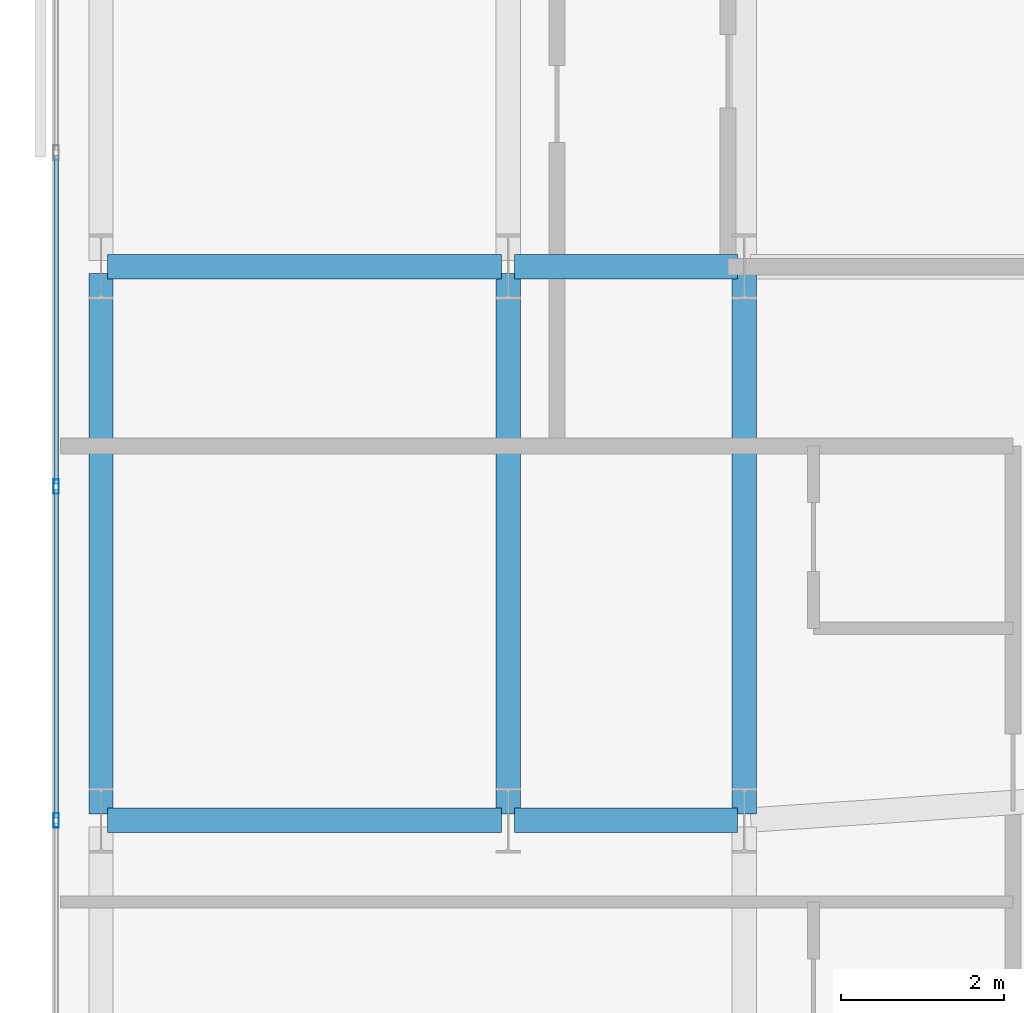
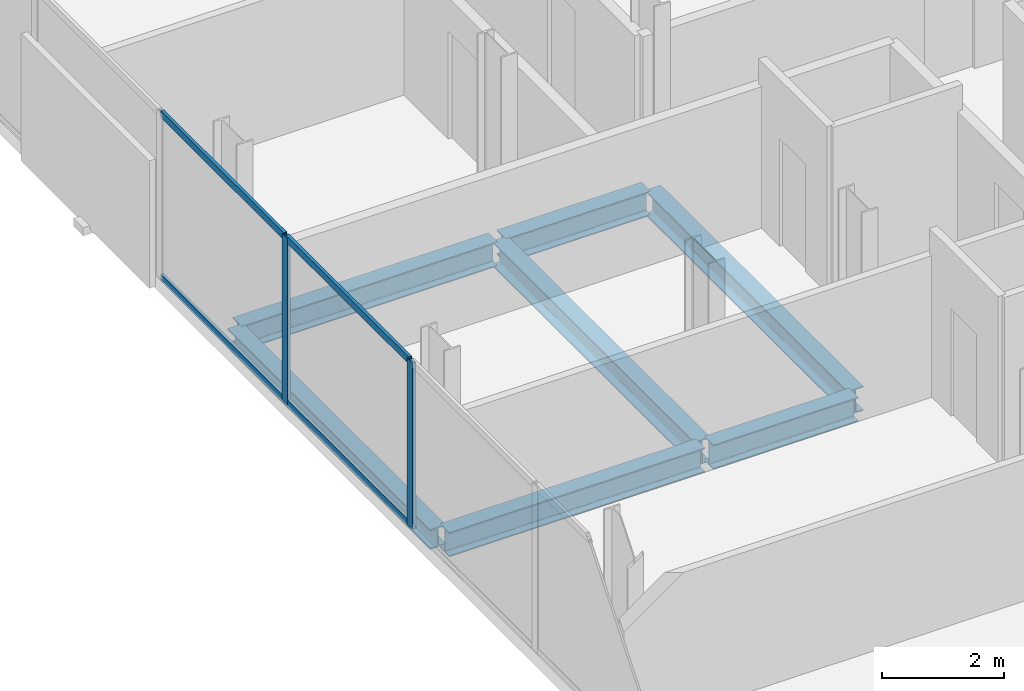
# One storey, part 11 of 32: 7 beams, 6 members, 1 element without a shape of its own.
"""IFC4 building model written with IfcOpenShell, lengths in metres."""

from ifc_helpers import new_model, si_unit, direction, frame, origin, origin_2d, place, context, subcontext, project, spatial, hollow_rectangle, i_section, extrude, material, layer, layer_set, material_profile, profile_set, type_object, element, aggregate, save


model = new_model("IFC4")

# Units and contexts
model_context = context("Model", 3, precision=1e-05, world=origin(), true_north=direction((0.0, 1.0)))
body_context = subcontext(model_context, "Body", "Model", "MODEL_VIEW")
ifc_project = project(units=[si_unit("LENGTHUNIT", "METRE"), si_unit("AREAUNIT", "SQUARE_METRE"), si_unit("VOLUMEUNIT", "CUBIC_METRE"), si_unit("PLANEANGLEUNIT", "RADIAN"), si_unit("MASSUNIT", "GRAM", prefix="KILO")], contexts=[model_context])

# Site, building, storey
site_placement = place(None, origin())
site = spatial("IfcSite", under=ifc_project, at=site_placement, CompositionType="ELEMENT")
building_placement = place(site_placement, origin())
building = spatial("IfcBuilding", under=site, at=building_placement, Name="Catumbela Crestline Tower", CompositionType="ELEMENT")
storey_placement = place(building_placement, frame((0.0, 0.0, 69.0)))
storey = spatial("IfcBuildingStorey", under=building, at=storey_placement, Name="L17", CompositionType="ELEMENT", Elevation=69.0)

# Beams
ifc_material_1 = material(Name="Structural steel S355J2", Category="steel")
ifc_material_profile_1 = material_profile(ifc_material_1, i_section(OverallWidth=0.3, OverallDepth=0.49, WebThickness=0.012, FlangeThickness=0.023, FilletRadius=0.027, at=origin_2d()), Name="HEA 500")
ifc_profile_set_1 = profile_set([ifc_material_profile_1], Name="Structural steel S355J2")
beam_type_1 = type_object("IfcBeamType", Name="BG-HEA500", PredefinedType="BEAM", material=ifc_profile_set_1)
beam_1_placement = place(storey_placement, frame((0.68, 24.0, -0.505), z_axis=(1.0, 0.0, 0.0), x_axis=(0.0, 1.0, 0.0)))
element("IfcBeam", 1, at=beam_1_placement, inside=storey, type_object=beam_type_1, Name="L17 Beam BM-L17-S01", PredefinedType="BEAM", context=body_context, shape_type="SweptSolid", body=[
    extrude(i_section(OverallWidth=0.3, OverallDepth=0.49, WebThickness=0.012, FlangeThickness=0.023, FilletRadius=0.027, at=origin_2d()), origin(), (0.0, 0.0, 1.0), 4.84),
])
beam_2_placement = place(storey_placement, frame((5.68, 24.0, -0.505), z_axis=(1.0, 0.0, 0.0), x_axis=(0.0, 1.0, 0.0)))
element("IfcBeam", 2, at=beam_2_placement, inside=storey, type_object=beam_type_1, Name="L17 Beam BM-L17-S02", PredefinedType="BEAM", context=body_context, shape_type="SweptSolid", body=[
    extrude(i_section(OverallWidth=0.3, OverallDepth=0.49, WebThickness=0.012, FlangeThickness=0.023, FilletRadius=0.027, at=origin_2d()), origin(), (0.0, 0.0, 1.0), 2.74),
])
beam_3_placement = place(storey_placement, frame((0.68, 30.8, -0.505), z_axis=(1.0, 0.0, 0.0), x_axis=(0.0, 1.0, 0.0)))
element("IfcBeam", 3, at=beam_3_placement, inside=storey, type_object=beam_type_1, Name="L17 Beam BM-L17-M07", PredefinedType="BEAM", context=body_context, shape_type="SweptSolid", body=[
    extrude(i_section(OverallWidth=0.3, OverallDepth=0.49, WebThickness=0.012, FlangeThickness=0.023, FilletRadius=0.027, at=origin_2d()), origin(), (0.0, 0.0, 1.0), 4.84),
])
beam_4_placement = place(storey_placement, frame((5.68, 30.8, -0.505), z_axis=(1.0, 0.0, 0.0), x_axis=(0.0, 1.0, 0.0)))
element("IfcBeam", 4, at=beam_4_placement, inside=storey, type_object=beam_type_1, Name="L17 Beam BM-L17-M08", PredefinedType="BEAM", context=body_context, shape_type="SweptSolid", body=[
    extrude(i_section(OverallWidth=0.3, OverallDepth=0.49, WebThickness=0.012, FlangeThickness=0.023, FilletRadius=0.027, at=origin_2d()), origin(), (0.0, 0.0, 1.0), 2.74),
])
for number, where, z_axis, x_axis, name in (
    (5, (5.6, 24.08, -0.505), (0.0, 1.0, 0.0), (-1.0, 0.0, 0.0), "L17 Beam BM-L17-SN27"),
    (6, (8.5, 24.08, -0.505), (0.0, 1.0, 0.0), (-1.0, 0.0, 0.0), "L17 Beam BM-L17-SN29"),
):
    element("IfcBeam", number, at=place(storey_placement, frame(where, z_axis=z_axis, x_axis=x_axis)), inside=storey, type_object=beam_type_1, Name=name, PredefinedType="BEAM", context=body_context, shape_type="SweptSolid", body=[
        extrude(i_section(OverallWidth=0.3, OverallDepth=0.49, WebThickness=0.012, FlangeThickness=0.023, FilletRadius=0.027, at=origin_2d()), origin(), (0.0, 0.0, 1.0), 6.64),
    ])

# Curtain wall, members
ifc_material_2 = material(Name="Aluminium alloy AW-6060-T66", Category="aluminium")
ifc_layer = layer(ifc_material_2, 0.18, Name="Aluminium alloy AW-6060-T66")
ifc_layer_set = layer_set([ifc_layer], Name="Aluminium alloy AW-6060-T66")
curtain_wall_type = type_object("IfcCurtainWallType", Name="CWU-Z1", PredefinedType="USERDEFINED", material=ifc_layer_set)
curtain_wall_placement = place(storey_placement, origin())
curtain_wall = element("IfcCurtainWall", 7, at=curtain_wall_placement, inside=storey, type_object=curtain_wall_type, Name="L17 Unitised Curtain Wall CW-L17-E9S1", ObjectType="UNITISED", PredefinedType="USERDEFINED")
ifc_material_profile_2 = material_profile(ifc_material_2, hollow_rectangle(XDim=0.065, YDim=0.18, WallThickness=0.004, at=origin_2d()), Name="ALU 180x65x4")
ifc_profile_set_2 = profile_set([ifc_material_profile_2], Name="Aluminium alloy AW-6060-T66")
member_type_1 = type_object("IfcMemberType", Name="MUL-180X65", PredefinedType="MULLION", material=ifc_profile_set_2)
member_1_placement = place(storey_placement, frame((0.05, 28.1, 0.0), z_axis=(0.0, 0.0, 1.0), x_axis=(1.0, 0.0, 0.0)))
member_1 = element("IfcMember", 8, at=member_1_placement, type_object=member_type_1, Name="CWU-Z1 mullion 5", PredefinedType="MULLION", context=body_context, shape_type="SweptSolid", body=[
    extrude(hollow_rectangle(XDim=0.065, YDim=0.18, WallThickness=0.004, at=origin_2d()), origin(), (0.0, 0.0, 1.0), 3.33),
])
member_2_placement = place(storey_placement, frame((0.05, 24.0, 0.0), z_axis=(0.0, 0.0, 1.0), x_axis=(1.0, 0.0, 0.0)))
member_2 = element("IfcMember", 9, at=member_2_placement, type_object=member_type_1, Name="CWU-Z1 mullion 6", PredefinedType="MULLION", context=body_context, shape_type="SweptSolid", body=[
    extrude(hollow_rectangle(XDim=0.065, YDim=0.18, WallThickness=0.004, at=origin_2d()), origin(), (0.0, 0.0, 1.0), 3.33),
])

# Beam
ifc_material_profile_3 = material_profile(ifc_material_1, i_section(OverallWidth=0.3, OverallDepth=0.4, WebThickness=0.0135, FlangeThickness=0.024, FilletRadius=0.027, at=origin_2d()), Name="HEB 400")
ifc_profile_set_3 = profile_set([ifc_material_profile_3], Name="Structural steel S355J2")
beam_type_2 = type_object("IfcBeamType", Name="BS-HEB400", PredefinedType="SPANDREL", material=ifc_profile_set_3)
beam_5_placement = place(storey_placement, frame((0.6, 24.08, -0.46), z_axis=(0.0, 1.0, 0.0), x_axis=(-1.0, 0.0, 0.0)))
element("IfcBeam", 10, at=beam_5_placement, inside=storey, type_object=beam_type_2, Name="L17 Spandrel SP-L17-SN25", PredefinedType="SPANDREL", context=body_context, shape_type="SweptSolid", body=[
    extrude(i_section(OverallWidth=0.3, OverallDepth=0.4, WebThickness=0.0135, FlangeThickness=0.024, FilletRadius=0.027, at=origin_2d()), origin(), (0.0, 0.0, 1.0), 6.64),
])

# Member
ifc_material_profile_4 = material_profile(ifc_material_2, hollow_rectangle(XDim=0.06, YDim=0.14, WallThickness=0.004, at=origin_2d()), Name="ALU 140x60x4")
ifc_profile_set_4 = profile_set([ifc_material_profile_4], Name="Aluminium alloy AW-6060-T66")
member_type_2 = type_object("IfcMemberType", Name="TRN-140X60", PredefinedType="USERDEFINED", material=ifc_profile_set_4)
member_3_placement = place(storey_placement, frame((0.05, 32.1675, 0.03), z_axis=(0.0, -1.0, 0.0), x_axis=(1.0, 0.0, 0.0)))
member_3 = element("IfcMember", 11, at=member_3_placement, type_object=member_type_2, Name="CWU-Z1 transom 4.1", ObjectType="TRANSOM", PredefinedType="USERDEFINED", context=body_context, shape_type="SweptSolid", body=[
    extrude(hollow_rectangle(XDim=0.06, YDim=0.14, WallThickness=0.004, at=origin_2d()), origin(), (0.0, 0.0, 1.0), 4.035),
])

member_4_placement = place(storey_placement, frame((0.05, 32.1675, 3.3), z_axis=(0.0, -1.0, 0.0), x_axis=(1.0, 0.0, 0.0)))
member_4 = element("IfcMember", 12, at=member_4_placement, type_object=member_type_2, Name="CWU-Z1 transom 4.2", ObjectType="TRANSOM", PredefinedType="USERDEFINED", context=body_context, shape_type="SweptSolid", body=[
    extrude(hollow_rectangle(XDim=0.06, YDim=0.14, WallThickness=0.004, at=origin_2d()), origin(), (0.0, 0.0, 1.0), 4.035),
])

member_5_placement = place(storey_placement, frame((0.05, 28.0675, 0.03), z_axis=(0.0, -1.0, 0.0), x_axis=(1.0, 0.0, 0.0)))
member_5 = element("IfcMember", 13, at=member_5_placement, type_object=member_type_2, Name="CWU-Z1 transom 5.1", ObjectType="TRANSOM", PredefinedType="USERDEFINED", context=body_context, shape_type="SweptSolid", body=[
    extrude(hollow_rectangle(XDim=0.06, YDim=0.14, WallThickness=0.004, at=origin_2d()), origin(), (0.0, 0.0, 1.0), 4.035),
])

member_6_placement = place(storey_placement, frame((0.05, 28.0675, 3.3), z_axis=(0.0, -1.0, 0.0), x_axis=(1.0, 0.0, 0.0)))
member_6 = element("IfcMember", 14, at=member_6_placement, type_object=member_type_2, Name="CWU-Z1 transom 5.2", ObjectType="TRANSOM", PredefinedType="USERDEFINED", context=body_context, shape_type="SweptSolid", body=[
    extrude(hollow_rectangle(XDim=0.06, YDim=0.14, WallThickness=0.004, at=origin_2d()), origin(), (0.0, 0.0, 1.0), 4.035),
])

aggregate(curtain_wall, [member_1, member_2, member_3, member_4, member_5, member_6])

save(model, "model.ifc")
